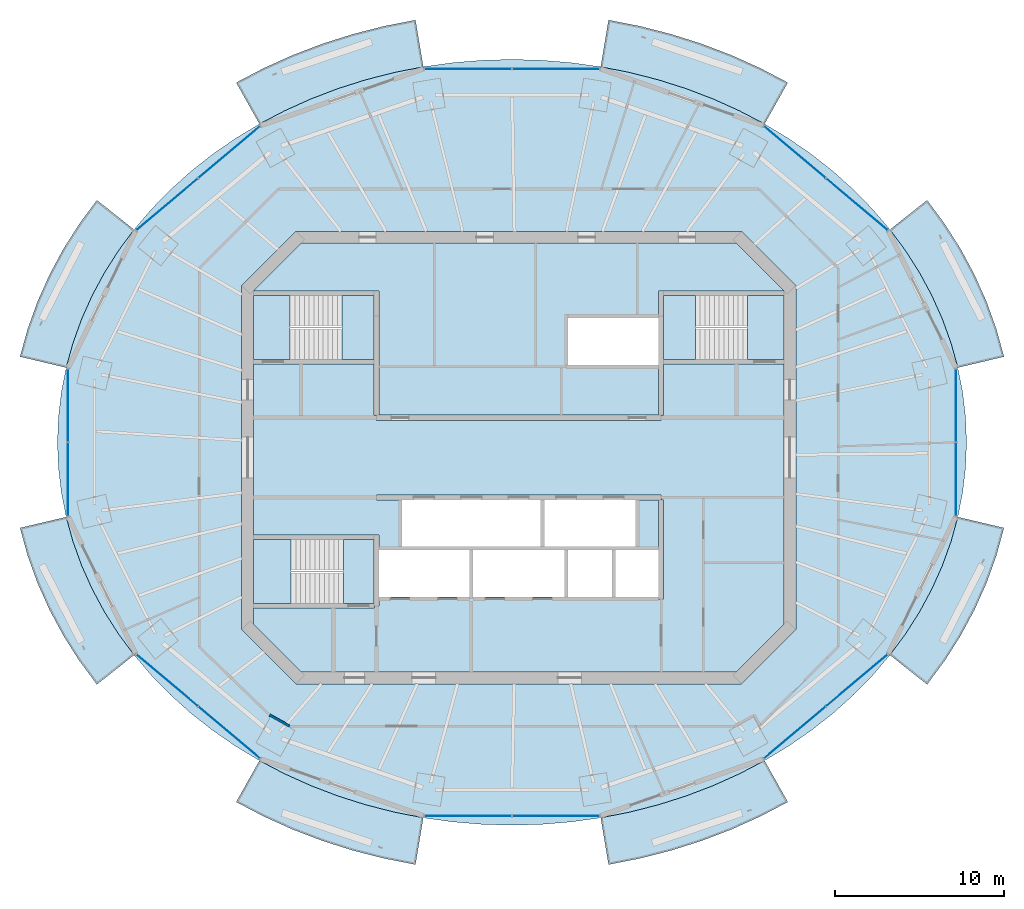
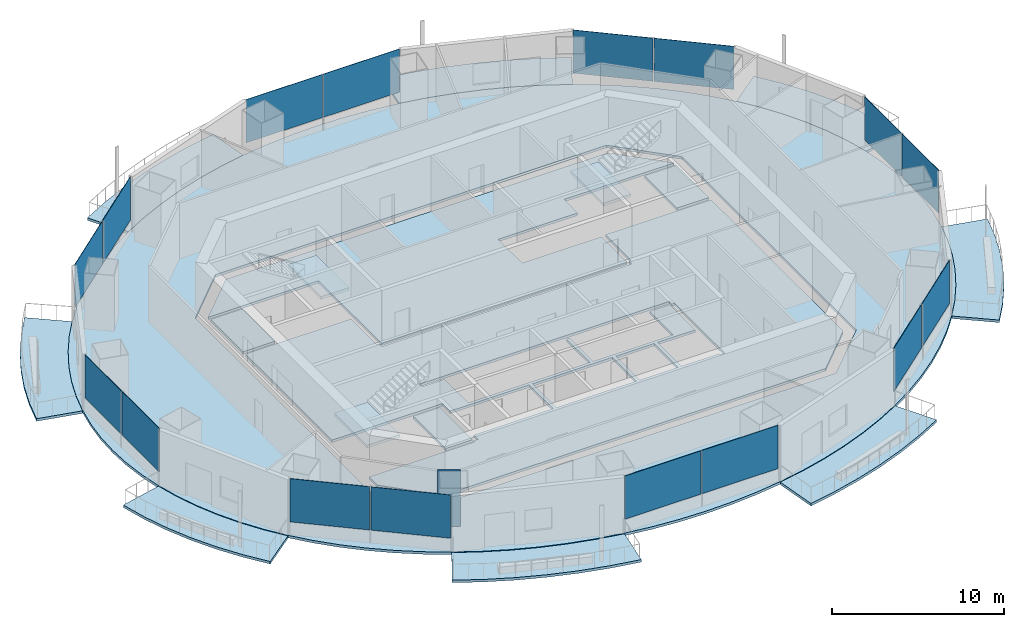
# One storey, part 7 of 16: 17 slabs, 16 plates, 1 wall, 11 elements without a shape of their own.
"""IFC4 building model written with IfcOpenShell, lengths in metres."""

from ifc_helpers import new_model, si_unit, direction, frame, frame_2d, origin, origin_2d, place, context, subcontext, project, spatial, polyline, rectangle, outline, extrude, material, layer, layer_set, type_object, element, aggregate, save


model = new_model("IFC4")

# Units and contexts
model_context = context("Model", 3, precision=1e-05, world=origin(), true_north=direction((0.0, 1.0)))
body_context = subcontext(model_context, "Body", "Model", "MODEL_VIEW")
ifc_project = project(units=[si_unit("LENGTHUNIT", "METRE"), si_unit("AREAUNIT", "SQUARE_METRE"), si_unit("VOLUMEUNIT", "CUBIC_METRE"), si_unit("PLANEANGLEUNIT", "RADIAN"), si_unit("MASSUNIT", "GRAM", prefix="KILO")], contexts=[model_context])

# Site, building, storey
site_placement = place(None, origin())
site = spatial("IfcSite", under=ifc_project, at=site_placement, CompositionType="ELEMENT")
building_placement = place(site_placement, origin())
building = spatial("IfcBuilding", under=site, at=building_placement, Name="Marenthal Gate Tower", CompositionType="ELEMENT")
storey_placement = place(building_placement, frame((0.0, 0.0, 355.050048828125)))
storey = spatial("IfcBuildingStorey", under=building, at=storey_placement, Name="L80", CompositionType="ELEMENT", Elevation=355.050048828125)

# Slabs
ifc_material_1 = material(Name="Concrete 40 MPa", Category="concrete")
ifc_layer_1 = layer(ifc_material_1, 0.179931640625)
ifc_layer_set_1 = layer_set([ifc_layer_1], Name="Balcony deck 180")
slab_type_1 = type_object("IfcSlabType", Name="Balcony deck 180", PredefinedType="USERDEFINED", material=ifc_layer_set_1)
slab_1_placement = place(storey_placement, frame((0.0, 0.0, -0.219970703125)))
element("IfcSlab", 1, at=slab_1_placement, inside=storey, type_object=slab_type_1, Name="Balcony deck L80 bay 1", ObjectType="BALCONY", PredefinedType="USERDEFINED", context=body_context, shape_type="SweptSolid", body=[
    extrude(outline(polyline([(25.91162109375, 5.308349609375), (25.512939453125, 6.748291015625), (25.00341796875, 8.1630859375), (24.385009765625, 9.547119140625), (23.660400390625, 10.89404296875), (22.8330078125, 12.197998046875), (21.90576171875, 13.45361328125), (24.099365234375, 15.19384765625), (25.142333984375, 13.781005859375), (26.07666015625, 12.308837890625), (26.8974609375, 10.78271484375), (27.600341796875, 9.209716796875), (28.18115234375, 7.59716796875), (28.636474609375, 5.951904296875), (25.91162109375, 5.308349609375)])), origin(), (0.0, 0.0, 1.0), 0.179931640625),
])
slab_2_placement = place(storey_placement, frame((0.0, 0.0, -0.219970703125)))
element("IfcSlab", 2, at=slab_2_placement, inside=storey, type_object=slab_type_1, Name="Balcony deck L80 bay 3", ObjectType="BALCONY", PredefinedType="USERDEFINED", context=body_context, shape_type="SweptSolid", body=[
    extrude(outline(polyline([(14.50439453125, 19.68798828125), (13.013427734375, 20.46875), (11.46533203125, 21.165771484375), (9.8662109375, 21.77587890625), (8.223388671875, 22.296875), (6.543212890625, 22.72607421875), (4.833740234375, 23.061767578125), (5.29638671875, 25.8232421875), (7.15966796875, 25.45751953125), (8.992919921875, 24.989013671875), (10.78857421875, 24.419677734375), (12.539306640625, 23.75146484375), (14.238037109375, 22.98681640625), (15.877685546875, 22.1279296875), (14.50439453125, 19.68798828125)])), origin(), (0.0, 0.0, 1.0), 0.179931640625),
])
slab_3_placement = place(storey_placement, frame((0.0, 0.0, -0.219970703125)))
element("IfcSlab", 3, at=slab_3_placement, inside=storey, type_object=slab_type_1, Name="Balcony deck L80 bay 5", ObjectType="BALCONY", PredefinedType="USERDEFINED", context=body_context, shape_type="SweptSolid", body=[
    extrude(outline(polyline([(-5.6337890625, 23.061767578125), (-7.34326171875, 22.72607421875), (-9.023193359375, 22.296875), (-10.666259765625, 21.77587890625), (-12.265380859375, 21.165771484375), (-13.8134765625, 20.46875), (-15.30419921875, 19.68798828125), (-16.677490234375, 22.1279296875), (-15.0380859375, 22.98681640625), (-13.33935546875, 23.75146484375), (-11.588623046875, 24.419677734375), (-9.79296875, 24.989013671875), (-7.959716796875, 25.45751953125), (-6.096435546875, 25.8232421875), (-5.6337890625, 23.061767578125)])), origin(), (0.0, 0.0, 1.0), 0.179931640625),
])
slab_4_placement = place(storey_placement, frame((0.0, 0.0, -0.219970703125)))
element("IfcSlab", 4, at=slab_4_placement, inside=storey, type_object=slab_type_1, Name="Balcony deck L80 bay 7", ObjectType="BALCONY", PredefinedType="USERDEFINED", context=body_context, shape_type="SweptSolid", body=[
    extrude(outline(polyline([(-22.705810546875, 13.45361328125), (-23.6328125, 12.197998046875), (-24.46044921875, 10.89404296875), (-25.184814453125, 9.547119140625), (-25.80322265625, 8.1630859375), (-26.31298828125, 6.748291015625), (-26.71142578125, 5.308349609375), (-29.4365234375, 5.951904296875), (-28.981201171875, 7.59716796875), (-28.400390625, 9.209716796875), (-27.697509765625, 10.78271484375), (-26.876708984375, 12.308837890625), (-25.9423828125, 13.781005859375), (-24.8994140625, 15.19384765625), (-22.705810546875, 13.45361328125)])), origin(), (0.0, 0.0, 1.0), 0.179931640625),
])
slab_5_placement = place(storey_placement, frame((0.0, 0.0, -0.219970703125)))
element("IfcSlab", 5, at=slab_5_placement, inside=storey, type_object=slab_type_1, Name="Balcony deck L80 bay 9", ObjectType="BALCONY", PredefinedType="USERDEFINED", context=body_context, shape_type="SweptSolid", body=[
    extrude(outline(polyline([(-26.71142578125, -3.50830078125), (-26.31298828125, -4.9482421875), (-25.80322265625, -6.36328125), (-25.184814453125, -7.7470703125), (-24.46044921875, -9.093994140625), (-23.6328125, -10.39794921875), (-22.705810546875, -11.65380859375), (-24.8994140625, -13.393798828125), (-25.9423828125, -11.98095703125), (-26.876708984375, -10.5087890625), (-27.697509765625, -8.982666015625), (-28.400390625, -7.409912109375), (-28.981201171875, -5.797119140625), (-29.4365234375, -4.15185546875), (-26.71142578125, -3.50830078125)])), origin(), (0.0, 0.0, 1.0), 0.179931640625),
])
slab_6_placement = place(storey_placement, frame((0.0, 0.0, -0.219970703125)))
element("IfcSlab", 6, at=slab_6_placement, inside=storey, type_object=slab_type_1, Name="Balcony deck L80 bay 11", ObjectType="BALCONY", PredefinedType="USERDEFINED", context=body_context, shape_type="SweptSolid", body=[
    extrude(outline(polyline([(-15.30419921875, -17.887939453125), (-13.8134765625, -18.668701171875), (-12.265380859375, -19.36572265625), (-10.666259765625, -19.97607421875), (-9.023193359375, -20.496826171875), (-7.34326171875, -20.926025390625), (-5.6337890625, -21.26171875), (-6.096435546875, -24.023193359375), (-7.959716796875, -23.657470703125), (-9.79296875, -23.18896484375), (-11.588623046875, -22.61962890625), (-13.33935546875, -21.951416015625), (-15.0380859375, -21.186767578125), (-16.677490234375, -20.327880859375), (-15.30419921875, -17.887939453125)])), origin(), (0.0, 0.0, 1.0), 0.179931640625),
])
slab_7_placement = place(storey_placement, frame((0.0, 0.0, -0.219970703125)))
element("IfcSlab", 7, at=slab_7_placement, inside=storey, type_object=slab_type_1, Name="Balcony deck L80 bay 13", ObjectType="BALCONY", PredefinedType="USERDEFINED", context=body_context, shape_type="SweptSolid", body=[
    extrude(outline(polyline([(4.833740234375, -21.26171875), (6.543212890625, -20.926025390625), (8.223388671875, -20.496826171875), (9.8662109375, -19.97607421875), (11.46533203125, -19.36572265625), (13.013427734375, -18.668701171875), (14.50439453125, -17.887939453125), (15.877685546875, -20.327880859375), (14.238037109375, -21.186767578125), (12.539306640625, -21.951416015625), (10.78857421875, -22.61962890625), (8.992919921875, -23.18896484375), (7.15966796875, -23.657470703125), (5.29638671875, -24.023193359375), (4.833740234375, -21.26171875)])), origin(), (0.0, 0.0, 1.0), 0.179931640625),
])
slab_8_placement = place(storey_placement, frame((0.0, 0.0, -0.219970703125)))
element("IfcSlab", 8, at=slab_8_placement, inside=storey, type_object=slab_type_1, Name="Balcony deck L80 bay 15", ObjectType="BALCONY", PredefinedType="USERDEFINED", context=body_context, shape_type="SweptSolid", body=[
    extrude(outline(polyline([(21.90576171875, -11.65380859375), (22.8330078125, -10.39794921875), (23.660400390625, -9.093994140625), (24.385009765625, -7.7470703125), (25.00341796875, -6.36328125), (25.512939453125, -4.9482421875), (25.91162109375, -3.50830078125), (28.636474609375, -4.15185546875), (28.18115234375, -5.797119140625), (27.600341796875, -7.409912109375), (26.8974609375, -8.982666015625), (26.07666015625, -10.5087890625), (25.142333984375, -11.98095703125), (24.099365234375, -13.393798828125), (21.90576171875, -11.65380859375)])), origin(), (0.0, 0.0, 1.0), 0.179931640625),
])
ifc_material_2 = material(Name="Concrete 50 MPa", Category="concrete")
ifc_layer_2 = layer(ifc_material_2, 0.179931640625)
ifc_layer_set_2 = layer_set([ifc_layer_2], Name="Core floor slab 180")
slab_type_2 = type_object("IfcSlabType", Name="Core floor slab 180", PredefinedType="FLOOR", material=ifc_layer_set_2)
slab_9_placement = place(storey_placement, frame((0.0, 0.0, -0.179931640625)))
element("IfcSlab", 9, at=slab_9_placement, inside=storey, type_object=slab_type_2, Name="Core floor L80", PredefinedType="FLOOR", context=body_context, shape_type="SweptSolid", body=[
    extrude(outline(polyline([(12.85498046875, -12.64990234375), (-12.85498046875, -12.64990234375), (-15.64990234375, -9.85498046875), (-15.64990234375, -8.875), (-8.550048828125, -8.875), (-8.550048828125, -8.75), (-8.25, -8.75), (-8.25, -8.239990234375), (-5.60009765625, -8.239990234375), (-2.909912109375, -8.239990234375), (-2.909912109375, -5.4599609375), (-5.60009765625, -5.4599609375), (-8.25, -5.4599609375), (-8.25, -4.574951171875), (-8.550048828125, -4.574951171875), (-15.64990234375, -4.574951171875), (-15.64990234375, 5.52490234375), (-8.550048828125, 5.52490234375), (-8.550048828125, 2.5), (-8.39990234375, 2.5), (-8.39990234375, 2.199951171875), (8.39990234375, 2.199951171875), (8.39990234375, 2.5), (8.550048828125, 2.5), (8.550048828125, 5.52490234375), (15.64990234375, 5.52490234375), (15.64990234375, -9.85498046875), (12.85498046875, -12.64990234375)]), holes=[polyline([(0.0, -8.239990234375), (2.68994140625, -8.239990234375), (2.68994140625, -5.4599609375), (0.0, -5.4599609375), (-2.68994140625, -5.4599609375), (-2.68994140625, -8.239990234375), (0.0, -8.239990234375)]), polyline([(1.2900390625, -5.239990234375), (1.2900390625, -2.5), (1.510009765625, -2.5), (1.510009765625, -5.239990234375), (4.199951171875, -5.239990234375), (6.889892578125, -5.239990234375), (6.889892578125, -2.5), (8.25, -2.5), (8.25, -5.4599609375), (5.7099609375, -5.4599609375), (5.7099609375, -8.239990234375), (8.25, -8.239990234375), (8.25, -8.35009765625), (8.550048828125, -8.35009765625), (8.550048828125, -2.5), (8.39990234375, -2.5), (8.39990234375, -2.199951171875), (-8.39990234375, -2.199951171875), (-8.39990234375, -2.5), (-6.889892578125, -2.5), (-6.889892578125, -5.239990234375), (-4.199951171875, -5.239990234375), (-1.39990234375, -5.239990234375), (1.2900390625, -5.239990234375)]), polyline([(5.489990234375, -5.4599609375), (2.909912109375, -5.4599609375), (2.909912109375, -8.239990234375), (5.489990234375, -8.239990234375), (5.489990234375, -5.4599609375)])]), origin(), (0.0, 0.0, 1.0), 0.179931640625),
])
slab_10_placement = place(storey_placement, frame((0.0, 0.0, -0.179931640625)))
element("IfcSlab", 10, at=slab_10_placement, inside=storey, type_object=slab_type_2, Name="Core floor L80", PredefinedType="FLOOR", context=body_context, shape_type="SweptSolid", body=[
    extrude(outline(polyline([(15.64990234375, 5.77490234375), (13.5, 5.77490234375), (13.5, 9.574951171875), (15.64990234375, 9.574951171875), (15.64990234375, 5.77490234375)])), origin(), (0.0, 0.0, 1.0), 0.179931640625),
])
slab_11_placement = place(storey_placement, frame((0.0, 0.0, -0.179931640625)))
element("IfcSlab", 11, at=slab_11_placement, inside=storey, type_object=slab_type_2, Name="Core floor L80", PredefinedType="FLOOR", context=body_context, shape_type="SweptSolid", body=[
    extrude(outline(polyline([(15.64990234375, 9.824951171875), (8.550048828125, 9.824951171875), (8.25, 9.824951171875), (8.25, 8.35009765625), (8.25, 8.239990234375), (5.60009765625, 8.239990234375), (2.909912109375, 8.239990234375), (2.909912109375, 5.4599609375), (5.60009765625, 5.4599609375), (8.25, 5.4599609375), (8.25, 2.5), (-8.25, 2.5), (-8.25, 8.35009765625), (-8.25, 9.824951171875), (-8.550048828125, 9.824951171875), (-15.64990234375, 9.824951171875), (-15.64990234375, 9.85498046875), (-12.85498046875, 12.64990234375), (12.85498046875, 12.64990234375), (15.64990234375, 9.85498046875), (15.64990234375, 9.824951171875)])), origin(), (0.0, 0.0, 1.0), 0.179931640625),
])
slab_12_placement = place(storey_placement, frame((0.0, 0.0, -0.179931640625)))
element("IfcSlab", 12, at=slab_12_placement, inside=storey, type_object=slab_type_2, Name="Core floor L80", PredefinedType="FLOOR", context=body_context, shape_type="SweptSolid", body=[
    extrude(outline(polyline([(-15.64990234375, 9.574951171875), (-13.5, 9.574951171875), (-13.5, 5.77490234375), (-15.64990234375, 5.77490234375), (-15.64990234375, 9.574951171875)])), origin(), (0.0, 0.0, 1.0), 0.179931640625),
])
slab_13_placement = place(storey_placement, frame((0.0, 0.0, -0.179931640625)))
element("IfcSlab", 13, at=slab_13_placement, inside=storey, type_object=slab_type_2, Name="Core floor L80", PredefinedType="FLOOR", context=body_context, shape_type="SweptSolid", body=[
    extrude(outline(polyline([(-8.550048828125, -4.824951171875), (-8.550048828125, -8.625), (-10.35009765625, -8.625), (-10.35009765625, -4.824951171875), (-8.550048828125, -4.824951171875)])), origin(), (0.0, 0.0, 1.0), 0.179931640625),
])
ifc_material_3 = material(Name="Concrete 35 MPa", Category="concrete")
ifc_layer_3 = layer(ifc_material_3, 0.179931640625)
ifc_layer_set_3 = layer_set([ifc_layer_3], Name="Floor slab 180")
slab_type_3 = type_object("IfcSlabType", Name="Floor slab 180", PredefinedType="FLOOR", material=ifc_layer_set_3)
slab_14_placement = place(storey_placement, frame((0.0, 0.0, -0.179931640625)))
element("IfcSlab", 14, at=slab_14_placement, inside=storey, type_object=slab_type_3, Name="SL-L80-01", PredefinedType="FLOOR", context=body_context, shape_type="SweptSolid", body=[
    extrude(outline(polyline([(26.427001953125, 0.89990234375), (26.36962890625, 2.377685546875), (26.197509765625, 3.849365234375), (25.91162109375, 5.308349609375), (25.512939453125, 6.748291015625), (25.00341796875, 8.1630859375), (24.385009765625, 9.547119140625), (23.660400390625, 10.89404296875), (22.8330078125, 12.197998046875), (21.90576171875, 13.45361328125), (20.88330078125, 14.655517578125), (19.76953125, 15.798583984375), (18.569580078125, 16.877685546875), (17.288330078125, 17.888671875), (15.93115234375, 18.82666015625), (14.50439453125, 19.68798828125), (13.013427734375, 20.46875), (11.46533203125, 21.165771484375), (9.8662109375, 21.77587890625), (8.223388671875, 22.296875), (6.543212890625, 22.72607421875), (4.833740234375, 23.061767578125), (3.1015625, 23.302734375), (1.3544921875, 23.447509765625), (-0.39990234375, 23.49609375), (-2.154541015625, 23.447509765625), (-3.901611328125, 23.302734375), (-5.6337890625, 23.061767578125), (-7.34326171875, 22.72607421875), (-9.023193359375, 22.296875), (-10.666259765625, 21.77587890625), (-12.265380859375, 21.165771484375), (-13.8134765625, 20.46875), (-15.30419921875, 19.68798828125), (-16.731201171875, 18.82666015625), (-18.08837890625, 17.888671875), (-19.36962890625, 16.877685546875), (-20.569580078125, 15.798583984375), (-21.683349609375, 14.655517578125), (-22.705810546875, 13.45361328125), (-23.6328125, 12.197998046875), (-24.46044921875, 10.89404296875), (-25.184814453125, 9.547119140625), (-25.80322265625, 8.1630859375), (-26.31298828125, 6.748291015625), (-26.71142578125, 5.308349609375), (-26.99755859375, 3.849365234375), (-27.169677734375, 2.377685546875), (-27.22705078125, 0.89990234375), (-27.169677734375, -0.577880859375), (-26.99755859375, -2.04931640625), (-26.71142578125, -3.50830078125), (-26.31298828125, -4.9482421875), (-25.80322265625, -6.36328125), (-25.184814453125, -7.7470703125), (-24.46044921875, -9.093994140625), (-23.6328125, -10.39794921875), (-22.705810546875, -11.65380859375), (-21.683349609375, -12.855712890625), (-20.569580078125, -13.99853515625), (-19.36962890625, -15.077880859375), (-18.08837890625, -16.088623046875), (-16.731201171875, -17.026611328125), (-15.30419921875, -17.887939453125), (-13.8134765625, -18.668701171875), (-12.265380859375, -19.36572265625), (-10.666259765625, -19.97607421875), (-9.023193359375, -20.496826171875), (-7.34326171875, -20.926025390625), (-5.6337890625, -21.26171875), (-3.901611328125, -21.502685546875), (-2.154541015625, -21.647705078125), (-0.39990234375, -21.696044921875), (1.3544921875, -21.647705078125), (3.1015625, -21.502685546875), (4.833740234375, -21.26171875), (6.543212890625, -20.926025390625), (8.223388671875, -20.496826171875), (9.8662109375, -19.97607421875), (11.46533203125, -19.36572265625), (13.013427734375, -18.668701171875), (14.50439453125, -17.887939453125), (15.93115234375, -17.026611328125), (17.288330078125, -16.088623046875), (18.569580078125, -15.077880859375), (19.76953125, -13.99853515625), (20.88330078125, -12.855712890625), (21.90576171875, -11.65380859375), (22.8330078125, -10.39794921875), (23.660400390625, -9.093994140625), (24.385009765625, -7.7470703125), (25.00341796875, -6.36328125), (25.512939453125, -4.9482421875), (25.91162109375, -3.50830078125), (26.197509765625, -2.04931640625), (26.36962890625, -0.577880859375), (26.427001953125, 0.89990234375)]), holes=[polyline([(13.14501953125, -13.35009765625), (16.35009765625, -10.14501953125), (16.35009765625, 10.14501953125), (13.14501953125, 13.35009765625), (-13.14501953125, 13.35009765625), (-16.35009765625, 10.14501953125), (-16.35009765625, -10.14501953125), (-13.14501953125, -13.35009765625), (13.14501953125, -13.35009765625)])]), origin(), (0.0, 0.0, 1.0), 0.179931640625),
])

# Curtain wall, plates
ifc_material_4 = material(Name="Aluminium and glass", Category="aluminium")
curtain_wall_type = type_object("IfcCurtainWallType", Name="Curtain wall typical high", PredefinedType="NOTDEFINED", material=ifc_material_4)
curtain_wall_1_placement = place(storey_placement, origin())
curtain_wall_1 = element("IfcCurtainWall", 15, at=curtain_wall_1_placement, inside=storey, type_object=curtain_wall_type, Name="Curtain wall L80 bay 2", PredefinedType="NOTDEFINED")
ifc_material_5 = material(Name="Glass, laminated insulating unit", Category="glass")
ifc_layer_4 = layer(ifc_material_5, 0.031982421875)
ifc_layer_set_4 = layer_set([ifc_layer_4], Name="Glass panel 32 typical high")
plate_type = type_object("IfcPlateType", Name="Glass panel 32 typical high", PredefinedType="CURTAIN_PANEL", material=ifc_layer_set_4)
plate_1_placement = place(storey_placement, frame((19.952392578125, 14.947021484375, 0.89990234375), z_axis=(0.0, 0.0, 1.0), x_axis=(-0.765113379195, 0.643895579249, 0.0)))
plate_1 = element("IfcPlate", 16, at=plate_1_placement, type_object=plate_type, Name="Glass panel L80 bay 2.1", PredefinedType="CURTAIN_PANEL", context=body_context, shape_type="SweptSolid", body=[
    extrude(rectangle(XDim=4.725341796875, YDim=0.031982421875, at=origin_2d()), origin(), (0.0, 0.0, 1.0), 3.070068359375),
])
plate_2_placement = place(storey_placement, frame((16.291259765625, 18.028076171875, 0.89990234375), z_axis=(0.0, 0.0, 1.0), x_axis=(-0.765113379195, 0.643895579249, 0.0)))
plate_2 = element("IfcPlate", 17, at=plate_2_placement, type_object=plate_type, Name="Glass panel L80 bay 2.2", PredefinedType="CURTAIN_PANEL", context=body_context, shape_type="SweptSolid", body=[
    extrude(rectangle(XDim=4.725341796875, YDim=0.031982421875, at=origin_2d()), origin(), (0.0, 0.0, 1.0), 3.070068359375),
])
aggregate(curtain_wall_1, [plate_1, plate_2])

curtain_wall_2_placement = place(storey_placement, origin())
curtain_wall_2 = element("IfcCurtainWall", 18, at=curtain_wall_2_placement, inside=storey, type_object=curtain_wall_type, Name="Curtain wall L80 bay 4", PredefinedType="NOTDEFINED")
plate_3_placement = place(storey_placement, frame((2.190185546875, 22.944091796875, 0.89990234375), z_axis=(0.0, 0.0, 1.0), x_axis=(-1.0, 0.0, 0.0)))
plate_3 = element("IfcPlate", 19, at=plate_3_placement, type_object=plate_type, Name="Glass panel L80 bay 4.1", PredefinedType="CURTAIN_PANEL", context=body_context, shape_type="SweptSolid", body=[
    extrude(rectangle(XDim=5.120361328125, YDim=0.031982421875, at=origin_2d()), origin(), (0.0, 0.0, 1.0), 3.070068359375),
])
plate_4_placement = place(storey_placement, frame((-2.990234375, 22.944091796875, 0.89990234375), z_axis=(0.0, 0.0, 1.0), x_axis=(-1.0, 0.0, 0.0)))
plate_4 = element("IfcPlate", 20, at=plate_4_placement, type_object=plate_type, Name="Glass panel L80 bay 4.2", PredefinedType="CURTAIN_PANEL", context=body_context, shape_type="SweptSolid", body=[
    extrude(rectangle(XDim=5.120361328125, YDim=0.031982421875, at=origin_2d()), origin(), (0.0, 0.0, 1.0), 3.070068359375),
])
aggregate(curtain_wall_2, [plate_3, plate_4])

curtain_wall_3_placement = place(storey_placement, origin())
curtain_wall_3 = element("IfcCurtainWall", 21, at=curtain_wall_3_placement, inside=storey, type_object=curtain_wall_type, Name="Curtain wall L80 bay 6", PredefinedType="NOTDEFINED")
plate_5_placement = place(storey_placement, frame((-17.09130859375, 18.028076171875, 0.89990234375), z_axis=(0.0, 0.0, 1.0), x_axis=(-0.765113379195, -0.643895579249, 0.0)))
plate_5 = element("IfcPlate", 22, at=plate_5_placement, type_object=plate_type, Name="Glass panel L80 bay 6.1", PredefinedType="CURTAIN_PANEL", context=body_context, shape_type="SweptSolid", body=[
    extrude(rectangle(XDim=4.725341796875, YDim=0.031982421875, at=origin_2d()), origin(), (0.0, 0.0, 1.0), 3.070068359375),
])
plate_6_placement = place(storey_placement, frame((-20.75244140625, 14.947021484375, 0.89990234375), z_axis=(0.0, 0.0, 1.0), x_axis=(-0.765113379195, -0.643895579249, 0.0)))
plate_6 = element("IfcPlate", 23, at=plate_6_placement, type_object=plate_type, Name="Glass panel L80 bay 6.2", PredefinedType="CURTAIN_PANEL", context=body_context, shape_type="SweptSolid", body=[
    extrude(rectangle(XDim=4.725341796875, YDim=0.031982421875, at=origin_2d()), origin(), (0.0, 0.0, 1.0), 3.070068359375),
])
aggregate(curtain_wall_3, [plate_5, plate_6])

curtain_wall_4_placement = place(storey_placement, origin())
curtain_wall_4 = element("IfcCurtainWall", 24, at=curtain_wall_4_placement, inside=storey, type_object=curtain_wall_type, Name="Curtain wall L80 bay 8", PredefinedType="NOTDEFINED")
plate_7_placement = place(storey_placement, frame((-26.59375, 3.077392578125, 0.89990234375), z_axis=(0.0, 0.0, 1.0), x_axis=(0.0, -1.0, 0.0)))
plate_7 = element("IfcPlate", 25, at=plate_7_placement, type_object=plate_type, Name="Glass panel L80 bay 8.1", PredefinedType="CURTAIN_PANEL", context=body_context, shape_type="SweptSolid", body=[
    extrude(rectangle(XDim=4.294921875, YDim=0.031982421875, at=origin_2d()), origin(), (0.0, 0.0, 1.0), 3.070068359375),
])
plate_8_placement = place(storey_placement, frame((-26.59375, -1.27734375, 0.89990234375), z_axis=(0.0, 0.0, 1.0), x_axis=(0.0, -1.0, 0.0)))
plate_8 = element("IfcPlate", 26, at=plate_8_placement, type_object=plate_type, Name="Glass panel L80 bay 8.2", PredefinedType="CURTAIN_PANEL", context=body_context, shape_type="SweptSolid", body=[
    extrude(rectangle(XDim=4.294921875, YDim=0.031982421875, at=origin_2d()), origin(), (0.0, 0.0, 1.0), 3.070068359375),
])
aggregate(curtain_wall_4, [plate_7, plate_8])

curtain_wall_5_placement = place(storey_placement, origin())
curtain_wall_5 = element("IfcCurtainWall", 27, at=curtain_wall_5_placement, inside=storey, type_object=curtain_wall_type, Name="Curtain wall L80 bay 10", PredefinedType="NOTDEFINED")
plate_9_placement = place(storey_placement, frame((-20.75244140625, -13.14697265625, 0.89990234375), z_axis=(0.0, 0.0, 1.0), x_axis=(0.765113379195, -0.643895579249, 0.0)))
plate_9 = element("IfcPlate", 28, at=plate_9_placement, type_object=plate_type, Name="Glass panel L80 bay 10.1", PredefinedType="CURTAIN_PANEL", context=body_context, shape_type="SweptSolid", body=[
    extrude(rectangle(XDim=4.725341796875, YDim=0.031982421875, at=origin_2d()), origin(), (0.0, 0.0, 1.0), 3.070068359375),
])
plate_10_placement = place(storey_placement, frame((-17.09130859375, -16.228271484375, 0.89990234375), z_axis=(0.0, 0.0, 1.0), x_axis=(0.765113379195, -0.643895579249, 0.0)))
plate_10 = element("IfcPlate", 29, at=plate_10_placement, type_object=plate_type, Name="Glass panel L80 bay 10.2", PredefinedType="CURTAIN_PANEL", context=body_context, shape_type="SweptSolid", body=[
    extrude(rectangle(XDim=4.725341796875, YDim=0.031982421875, at=origin_2d()), origin(), (0.0, 0.0, 1.0), 3.070068359375),
])
aggregate(curtain_wall_5, [plate_9, plate_10])

curtain_wall_6_placement = place(storey_placement, origin())
curtain_wall_6 = element("IfcCurtainWall", 30, at=curtain_wall_6_placement, inside=storey, type_object=curtain_wall_type, Name="Curtain wall L80 bay 12", PredefinedType="NOTDEFINED")
plate_11_placement = place(storey_placement, frame((-2.990234375, -21.14404296875, 0.89990234375), z_axis=(0.0, 0.0, 1.0), x_axis=(1.0, 0.0, 0.0)))
plate_11 = element("IfcPlate", 31, at=plate_11_placement, type_object=plate_type, Name="Glass panel L80 bay 12.1", PredefinedType="CURTAIN_PANEL", context=body_context, shape_type="SweptSolid", body=[
    extrude(rectangle(XDim=5.120361328125, YDim=0.031982421875, at=origin_2d()), origin(), (0.0, 0.0, 1.0), 3.070068359375),
])
plate_12_placement = place(storey_placement, frame((2.190185546875, -21.14404296875, 0.89990234375), z_axis=(0.0, 0.0, 1.0), x_axis=(1.0, 0.0, 0.0)))
plate_12 = element("IfcPlate", 32, at=plate_12_placement, type_object=plate_type, Name="Glass panel L80 bay 12.2", PredefinedType="CURTAIN_PANEL", context=body_context, shape_type="SweptSolid", body=[
    extrude(rectangle(XDim=5.120361328125, YDim=0.031982421875, at=origin_2d()), origin(), (0.0, 0.0, 1.0), 3.070068359375),
])
aggregate(curtain_wall_6, [plate_11, plate_12])

curtain_wall_7_placement = place(storey_placement, origin())
curtain_wall_7 = element("IfcCurtainWall", 33, at=curtain_wall_7_placement, inside=storey, type_object=curtain_wall_type, Name="Curtain wall L80 bay 14", PredefinedType="NOTDEFINED")
plate_13_placement = place(storey_placement, frame((16.291259765625, -16.228271484375, 0.89990234375), z_axis=(0.0, 0.0, 1.0), x_axis=(0.765113379195, 0.643895579249, 0.0)))
plate_13 = element("IfcPlate", 34, at=plate_13_placement, type_object=plate_type, Name="Glass panel L80 bay 14.1", PredefinedType="CURTAIN_PANEL", context=body_context, shape_type="SweptSolid", body=[
    extrude(rectangle(XDim=4.725341796875, YDim=0.031982421875, at=origin_2d()), origin(), (0.0, 0.0, 1.0), 3.070068359375),
])
plate_14_placement = place(storey_placement, frame((19.952392578125, -13.14697265625, 0.89990234375), z_axis=(0.0, 0.0, 1.0), x_axis=(0.765113379195, 0.643895579249, 0.0)))
plate_14 = element("IfcPlate", 35, at=plate_14_placement, type_object=plate_type, Name="Glass panel L80 bay 14.2", PredefinedType="CURTAIN_PANEL", context=body_context, shape_type="SweptSolid", body=[
    extrude(rectangle(XDim=4.725341796875, YDim=0.031982421875, at=origin_2d()), origin(), (0.0, 0.0, 1.0), 3.070068359375),
])
aggregate(curtain_wall_7, [plate_13, plate_14])

curtain_wall_8_placement = place(storey_placement, origin())
curtain_wall_8 = element("IfcCurtainWall", 36, at=curtain_wall_8_placement, inside=storey, type_object=curtain_wall_type, Name="Curtain wall L80 bay 16", PredefinedType="NOTDEFINED")
plate_15_placement = place(storey_placement, frame((25.793701171875, -1.27734375, 0.89990234375), z_axis=(0.0, 0.0, 1.0), x_axis=(0.0, 1.0, 0.0)))
plate_15 = element("IfcPlate", 37, at=plate_15_placement, type_object=plate_type, Name="Glass panel L80 bay 16.1", PredefinedType="CURTAIN_PANEL", context=body_context, shape_type="SweptSolid", body=[
    extrude(rectangle(XDim=4.294921875, YDim=0.031982421875, at=origin_2d()), origin(), (0.0, 0.0, 1.0), 3.070068359375),
])
plate_16_placement = place(storey_placement, frame((25.793701171875, 3.077392578125, 0.89990234375), z_axis=(0.0, 0.0, 1.0), x_axis=(0.0, 1.0, 0.0)))
plate_16 = element("IfcPlate", 38, at=plate_16_placement, type_object=plate_type, Name="Glass panel L80 bay 16.2", PredefinedType="CURTAIN_PANEL", context=body_context, shape_type="SweptSolid", body=[
    extrude(rectangle(XDim=4.294921875, YDim=0.031982421875, at=origin_2d()), origin(), (0.0, 0.0, 1.0), 3.070068359375),
])
aggregate(curtain_wall_8, [plate_15, plate_16])

# Stair, slab
ifc_material_6 = material(Name="Concrete 40 MPa", Category="concrete")
stair_type = type_object("IfcStairType", Name="Exit stair 1800", PredefinedType="HALF_TURN_STAIR", material=ifc_material_6)
stair_1_placement = place(storey_placement, origin())
stair_1 = element("IfcStair", 39, at=stair_1_placement, inside=storey, type_object=stair_type, Name="Stair ST1", PredefinedType="HALF_TURN_STAIR")
ifc_material_7 = material(Name="Concrete 40 MPa", Category="concrete")
ifc_layer_5 = layer(ifc_material_7, 0.199951171875)
ifc_layer_set_5 = layer_set([ifc_layer_5], Name="Stair landing 200")
slab_type_4 = type_object("IfcSlabType", Name="Stair landing 200", PredefinedType="LANDING", material=ifc_layer_set_5)
slab_15_placement = place(storey_placement, frame((0.0, 0.0, 1.875)))
slab_15 = element("IfcSlab", 40, at=slab_15_placement, type_object=slab_type_4, Name="ST1 landing 1", PredefinedType="LANDING", context=body_context, shape_type="SweptSolid", body=[
    extrude(outline(polyline([(-10.419921875, 5.77490234375), (-8.550048828125, 5.77490234375), (-8.550048828125, 9.574951171875), (-10.419921875, 9.574951171875), (-10.419921875, 5.77490234375)])), origin(), (0.0, 0.0, 1.0), 0.199951171875),
])
aggregate(stair_1, [slab_15])

stair_2_placement = place(storey_placement, origin())
stair_2 = element("IfcStair", 41, at=stair_2_placement, inside=storey, type_object=stair_type, Name="Stair ST2", PredefinedType="HALF_TURN_STAIR")
slab_16_placement = place(storey_placement, frame((0.0, 0.0, 1.875)))
slab_16 = element("IfcSlab", 42, at=slab_16_placement, type_object=slab_type_4, Name="ST2 landing 1", PredefinedType="LANDING", context=body_context, shape_type="SweptSolid", body=[
    extrude(outline(polyline([(-15.64990234375, -8.625), (-13.429931640625, -8.625), (-13.429931640625, -4.824951171875), (-15.64990234375, -4.824951171875), (-15.64990234375, -8.625)])), origin(), (0.0, 0.0, 1.0), 0.199951171875),
])
aggregate(stair_2, [slab_16])

stair_3_placement = place(storey_placement, origin())
stair_3 = element("IfcStair", 43, at=stair_3_placement, inside=storey, type_object=stair_type, Name="Stair ST3", PredefinedType="HALF_TURN_STAIR")
slab_17_placement = place(storey_placement, frame((0.0, 0.0, 1.875)))
slab_17 = element("IfcSlab", 44, at=slab_17_placement, type_object=slab_type_4, Name="ST3 landing 1", PredefinedType="LANDING", context=body_context, shape_type="SweptSolid", body=[
    extrude(outline(polyline([(8.550048828125, 5.77490234375), (10.419921875, 5.77490234375), (10.419921875, 9.574951171875), (8.550048828125, 9.574951171875), (8.550048828125, 5.77490234375)])), origin(), (0.0, 0.0, 1.0), 0.199951171875),
])
aggregate(stair_3, [slab_17])

# Wall
ifc_material_8 = material(Name="Gypsum board on steel studs", Category="steel")
ifc_layer_6 = layer(ifc_material_8, 0.14990234375)
ifc_layer_set_6 = layer_set([ifc_layer_6], Name="Partition 150")
wall_type = type_object("IfcWallType", Name="Partition 150", PredefinedType="PARTITIONING", material=ifc_layer_set_6)
wall_placement = place(storey_placement, frame((-13.527587890625, -15.85009765625, 0.0), z_axis=(0.0, 0.0, 1.0), x_axis=(-0.874029209117, 0.485873380224, 0.0)))
element("IfcWall", 45, at=wall_placement, inside=storey, type_object=wall_type, Name="Partition wall 57", PredefinedType="PARTITIONING", context=body_context, shape_type="SweptSolid", body=[
    extrude(rectangle(XDim=1.34912109375, YDim=0.14990234375, at=frame_2d((0.674560546875, 0.0))), origin(), (0.0, 0.0, 1.0), 3.969970703125),
])

save(model, "model.ifc")
